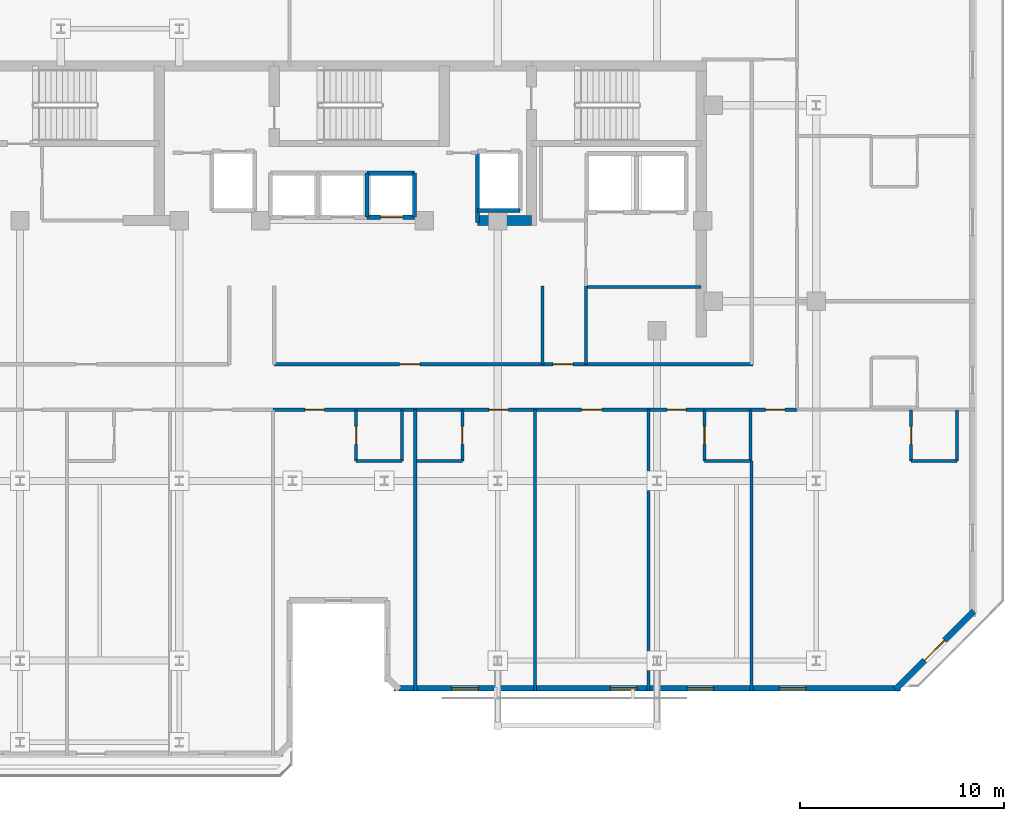
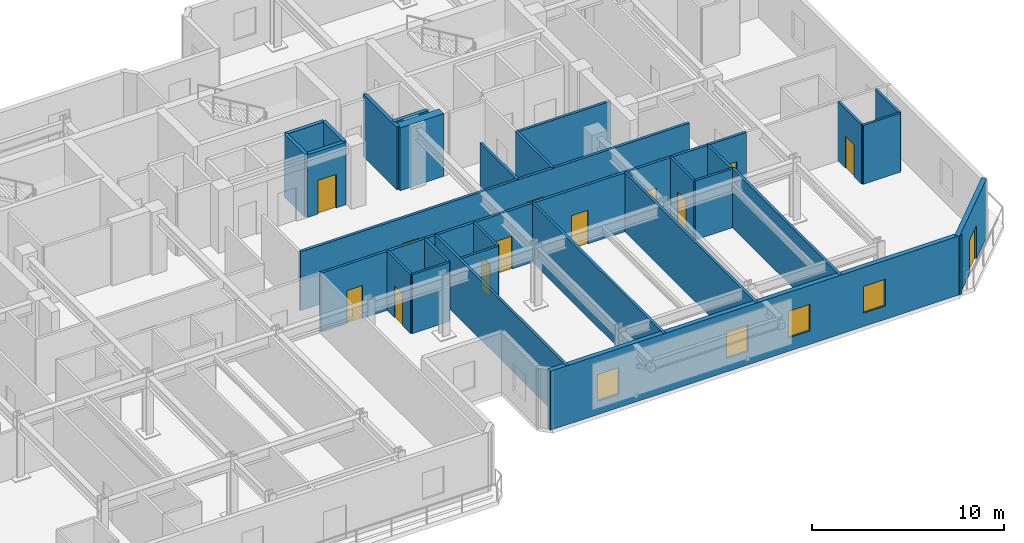
# One storey, part 6 of 13: 29 walls, 13 doors, 4 windows, 17 openings.
"""IFC4 building model written with IfcOpenShell, lengths in metres."""

from ifc_helpers import new_model, si_unit, direction, frame, frame_2d, origin, place, context, subcontext, project, spatial, rectangle, extrude, material, layer, layer_set, type_object, element, fill, save


model = new_model("IFC4")

# Units and contexts
model_context = context("Model", 3, precision=1e-05, world=origin(), true_north=direction((0.0, 1.0)))
body_context = subcontext(model_context, "Body", "Model", "MODEL_VIEW")
ifc_project = project(units=[si_unit("LENGTHUNIT", "METRE"), si_unit("AREAUNIT", "SQUARE_METRE"), si_unit("VOLUMEUNIT", "CUBIC_METRE"), si_unit("PLANEANGLEUNIT", "RADIAN"), si_unit("MASSUNIT", "GRAM", prefix="KILO")], contexts=[model_context])

# Site, building, storey
site_placement = place(None, origin())
site = spatial("IfcSite", under=ifc_project, at=site_placement, CompositionType="ELEMENT")
building_placement = place(site_placement, origin())
building = spatial("IfcBuilding", under=site, at=building_placement, Name="Kestravale Grand Hotel", CompositionType="ELEMENT")
storey_placement = place(building_placement, frame((0.0, 0.0, 245.39990234375)))
storey = spatial("IfcBuildingStorey", under=building, at=storey_placement, Name="L61", CompositionType="ELEMENT", Elevation=245.39990234375)

# Wall
ifc_material_1 = material(Name="Concrete f'c 50 MPa", Category="concrete")
ifc_layer_1 = layer(ifc_material_1, 0.5)
ifc_layer_set_1 = layer_set([ifc_layer_1], Name="EW-CORE-500")
wall_type_1 = type_object("IfcWallType", Name="EW-CORE-500", PredefinedType="SHEAR", material=ifc_layer_set_1)
wall_1_placement = place(storey_placement, frame((45.81005859375, 32.75, 0.0), z_axis=(0.0, 0.0, 1.0), x_axis=(1.0, 0.0, 0.0)))
element("IfcWall", 1, at=wall_1_placement, inside=storey, type_object=wall_type_1, Name="L61 core shear wall S2", PredefinedType="SHEAR", context=body_context, shape_type="SweptSolid", body=[
    extrude(rectangle(XDim=2.639892578125, YDim=0.5, at=frame_2d((1.31982421875, 0.0))), origin(), (0.0, 0.0, 1.0), 4.0),
])

# Wall, openings, windows
ifc_material_2 = material(Name="Precast concrete f'c 45 MPa", Category="concrete")
ifc_layer_2 = layer(ifc_material_2, 0.280029296875)
ifc_layer_set_2 = layer_set([ifc_layer_2], Name="EW-PREC-280")
wall_type_2 = type_object("IfcWallType", Name="EW-PREC-280", PredefinedType="SOLIDWALL", material=ifc_layer_set_2)
wall_2_placement = place(storey_placement, frame((41.7099609375, 9.840087890625, 0.0), z_axis=(0.0, 0.0, 1.0), x_axis=(1.0, 0.0, 0.0)))
wall_2 = element("IfcWall", 2, at=wall_2_placement, inside=storey, type_object=wall_type_2, Name="L61 fluted precast facade wall 7", PredefinedType="SOLIDWALL", context=body_context, shape_type="SweptSolid", body=[
    extrude(rectangle(XDim=24.830078125, YDim=0.280029296875, at=frame_2d((12.4150390625, 0.0))), origin(), (0.0, 0.0, 1.0), 3.760009765625),
])
opening_1_placement = place(wall_2_placement, frame((2.83837890625, 0.0, 0.85009765625)))
opening_1 = element("IfcOpeningElement", 3, at=opening_1_placement, cuts=wall_2, Name="Opening W-GUEST-1300", PredefinedType="OPENING", context=body_context, shape_type="SweptSolid", body=[
    extrude(rectangle(XDim=1.300048828125, YDim=1.699951171875, at=frame_2d((0.64990234375, 0.85009765625))), frame((0.0, 0.14990234375, 0.0), z_axis=(0.0, -1.0, 0.0), x_axis=(1.0, 0.0, 0.0)), (0.0, 0.0, 1.0), 0.300048828125),
])
opening_2_placement = place(wall_2_placement, frame((10.614990234375, 0.0, 0.85009765625)))
opening_2 = element("IfcOpeningElement", 4, at=opening_2_placement, cuts=wall_2, Name="Opening W-GUEST-1300", PredefinedType="OPENING", context=body_context, shape_type="SweptSolid", body=[
    extrude(rectangle(XDim=1.300048828125, YDim=1.699951171875, at=frame_2d((0.64990234375, 0.85009765625))), frame((0.0, 0.14990234375, 0.0), z_axis=(0.0, -1.0, 0.0), x_axis=(1.0, 0.0, 0.0)), (0.0, 0.0, 1.0), 0.300048828125),
])
opening_3_placement = place(wall_2_placement, frame((18.8916015625, 0.0, 0.85009765625)))
opening_3 = element("IfcOpeningElement", 5, at=opening_3_placement, cuts=wall_2, Name="Opening W-GUEST-1300", PredefinedType="OPENING", context=body_context, shape_type="SweptSolid", body=[
    extrude(rectangle(XDim=1.300048828125, YDim=1.699951171875, at=frame_2d((0.64990234375, 0.85009765625))), frame((0.0, 0.14990234375, 0.0), z_axis=(0.0, -1.0, 0.0), x_axis=(1.0, 0.0, 0.0)), (0.0, 0.0, 1.0), 0.300048828125),
])
opening_4_placement = place(wall_2_placement, frame((14.364990234375, 0.0, 0.85009765625)))
opening_4 = element("IfcOpeningElement", 6, at=opening_4_placement, cuts=wall_2, Name="Opening W-GUEST-1300", PredefinedType="OPENING", context=body_context, shape_type="SweptSolid", body=[
    extrude(rectangle(XDim=1.300048828125, YDim=1.699951171875, at=frame_2d((0.64990234375, 0.85009765625))), frame((0.0, 0.14990234375, 0.0), z_axis=(0.0, -1.0, 0.0), x_axis=(1.0, 0.0, 0.0)), (0.0, 0.0, 1.0), 0.300048828125),
])
ifc_material_3 = material(Name="Insulated low-E double glazing in aluminium frame", Category="aluminium")
window_type = type_object("IfcWindowType", Name="W-GUEST-1300", PartitioningType="SINGLE_PANEL", PredefinedType="WINDOW", material=ifc_material_3)
window_1_placement = place(opening_1_placement, origin())
window_1 = element("IfcWindow", 7, at=window_1_placement, inside=storey, type_object=window_type, Name="L61 exterior window 7.1", OverallHeight=1.699951171875, OverallWidth=1.300048828125, PartitioningType="SINGLE_PANEL", PredefinedType="WINDOW", context=body_context, shape_type="SweptSolid", body=[
    extrude(rectangle(XDim=1.300048828125, YDim=1.699951171875, at=frame_2d((0.64990234375, 0.85009765625))), frame((0.0, 0.030029296875, 0.0), z_axis=(0.0, -1.0, 0.0), x_axis=(1.0, 0.0, 0.0)), (0.0, 0.0, 1.0), 0.06005859375),
])
fill(opening_1, window_1)
window_2_placement = place(opening_2_placement, origin())
window_2 = element("IfcWindow", 8, at=window_2_placement, inside=storey, type_object=window_type, Name="L61 exterior window 7.2", OverallHeight=1.699951171875, OverallWidth=1.300048828125, PartitioningType="SINGLE_PANEL", PredefinedType="WINDOW", context=body_context, shape_type="SweptSolid", body=[
    extrude(rectangle(XDim=1.300048828125, YDim=1.699951171875, at=frame_2d((0.64990234375, 0.85009765625))), frame((0.0, 0.030029296875, 0.0), z_axis=(0.0, -1.0, 0.0), x_axis=(1.0, 0.0, 0.0)), (0.0, 0.0, 1.0), 0.06005859375),
])
fill(opening_2, window_2)
window_3_placement = place(opening_3_placement, origin())
window_3 = element("IfcWindow", 9, at=window_3_placement, inside=storey, type_object=window_type, Name="L61 exterior window 7.3", OverallHeight=1.699951171875, OverallWidth=1.300048828125, PartitioningType="SINGLE_PANEL", PredefinedType="WINDOW", context=body_context, shape_type="SweptSolid", body=[
    extrude(rectangle(XDim=1.300048828125, YDim=1.699951171875, at=frame_2d((0.64990234375, 0.85009765625))), frame((0.0, 0.030029296875, 0.0), z_axis=(0.0, -1.0, 0.0), x_axis=(1.0, 0.0, 0.0)), (0.0, 0.0, 1.0), 0.06005859375),
])
fill(opening_3, window_3)
window_4_placement = place(opening_4_placement, origin())
window_4 = element("IfcWindow", 10, at=window_4_placement, inside=storey, type_object=window_type, Name="L61 guestroom envelope window 2", OverallHeight=1.699951171875, OverallWidth=1.300048828125, PartitioningType="SINGLE_PANEL", PredefinedType="WINDOW", context=body_context, shape_type="SweptSolid", body=[
    extrude(rectangle(XDim=1.300048828125, YDim=1.699951171875, at=frame_2d((0.64990234375, 0.85009765625))), frame((0.0, 0.030029296875, 0.0), z_axis=(0.0, -1.0, 0.0), x_axis=(1.0, 0.0, 0.0)), (0.0, 0.0, 1.0), 0.06005859375),
])
fill(opening_4, window_4)

# Wall, opening, door
wall_3_placement = place(storey_placement, frame((66.272705078125, 9.770751953125, 0.0), z_axis=(0.0, 0.0, 1.0), x_axis=(0.707129162587, 0.707084399077, 0.0)))
wall_3 = element("IfcWall", 11, at=wall_3_placement, inside=storey, type_object=wall_type_2, Name="L61 fluted precast facade wall 8", PredefinedType="SOLIDWALL", context=body_context, shape_type="SweptSolid", body=[
    extrude(rectangle(XDim=5.4541015625, YDim=0.280029296875, at=frame_2d((2.72705078125, 0.0))), origin(), (0.0, 0.0, 1.0), 3.760009765625),
])
opening_5_placement = place(wall_3_placement, frame((2.027099609375, 0.0, 0.0)))
opening_5 = element("IfcOpeningElement", 12, at=opening_5_placement, cuts=wall_3, Name="Opening D-TERR-1400", PredefinedType="OPENING", context=body_context, shape_type="SweptSolid", body=[
    extrude(rectangle(XDim=1.39990234375, YDim=2.14990234375, at=frame_2d((0.699951171875, 1.074951171875))), frame((0.0, 0.14990234375, 0.0), z_axis=(0.0, -1.0, 0.0), x_axis=(1.0, 0.0, 0.0)), (0.0, 0.0, 1.0), 0.300048828125),
])
ifc_material_4 = material(Name="Insulated glazed champagne-bronze aluminium door", Category="aluminium")
door_type_1 = type_object("IfcDoorType", Name="D-TERR-1400", OperationType="NOTDEFINED", PredefinedType="DOOR", material=ifc_material_4)
door_1_placement = place(opening_5_placement, origin())
door_1 = element("IfcDoor", 13, at=door_1_placement, inside=storey, type_object=door_type_1, Name="L61 outdoor garden terrace door", OperationType="DOUBLE_DOOR_SINGLE_SWING", OverallHeight=2.14990234375, OverallWidth=1.39990234375, PredefinedType="DOOR", context=body_context, shape_type="SweptSolid", body=[
    extrude(rectangle(XDim=1.39990234375, YDim=2.14990234375, at=frame_2d((0.699951171875, 1.074951171875))), frame((0.0, 0.02490234375, 0.0), z_axis=(0.0, -1.0, 0.0), x_axis=(1.0, 0.0, 0.0)), (0.0, 0.0, 1.0), 0.050048828125),
])
fill(opening_5, door_1)

# Wall
ifc_material_5 = material(Name="Acoustic fire-rated gypsum board partition", Category="other")
ifc_layer_3 = layer(ifc_material_5, 0.159912109375)
ifc_layer_set_3 = layer_set([ifc_layer_3], Name="IW-CORR-160")
wall_type_3 = type_object("IfcWallType", Name="IW-CORR-160", PredefinedType="PARTITIONING", material=ifc_layer_set_3)
wall_4_placement = place(storey_placement, frame((51.1201171875, 29.5, 0.0), z_axis=(0.0, 0.0, 1.0), x_axis=(1.0, 0.0, 0.0)))
element("IfcWall", 14, at=wall_4_placement, inside=storey, type_object=wall_type_3, Name="L61 service lift lobby wall", PredefinedType="PARTITIONING", context=body_context, shape_type="SweptSolid", body=[
    extrude(rectangle(XDim=5.6298828125, YDim=0.159912109375, at=frame_2d((2.81494140625, 0.0))), origin(), (0.0, 0.0, 1.0), 3.760009765625),
])

# Wall, openings, doors
wall_5_placement = place(storey_placement, frame((35.85009765625, 25.7099609375, 0.0), z_axis=(0.0, 0.0, 1.0), x_axis=(1.0, 0.0, 0.0)))
wall_5 = element("IfcWall", 15, at=wall_5_placement, inside=storey, type_object=wall_type_3, Name="W-L61-CE-N", PredefinedType="PARTITIONING", context=body_context, shape_type="SweptSolid", body=[
    extrude(rectangle(XDim=23.449951171875, YDim=0.159912109375, at=frame_2d((11.72509765625, 0.0))), origin(), (0.0, 0.0, 1.0), 3.760009765625),
])
opening_6_placement = place(wall_5_placement, frame((6.14990234375, 0.0, 0.0)))
opening_6 = element("IfcOpeningElement", 16, at=opening_6_placement, cuts=wall_5, Name="Opening D-GUEST-1000", PredefinedType="OPENING", context=body_context, shape_type="SweptSolid", body=[
    extrude(rectangle(XDim=1.0, YDim=2.14990234375, at=frame_2d((0.5, 1.074951171875))), frame((0.0, 0.08984375, 0.0), z_axis=(0.0, -1.0, 0.0), x_axis=(1.0, 0.0, 0.0)), (0.0, 0.0, 1.0), 0.179931640625),
])
opening_7_placement = place(wall_5_placement, frame((13.64990234375, 0.0, 0.0)))
opening_7 = element("IfcOpeningElement", 17, at=opening_7_placement, cuts=wall_5, Name="Opening D-GUEST-1000", PredefinedType="OPENING", context=body_context, shape_type="SweptSolid", body=[
    extrude(rectangle(XDim=1.0, YDim=2.14990234375, at=frame_2d((0.5, 1.074951171875))), frame((0.0, 0.08984375, 0.0), z_axis=(0.0, -1.0, 0.0), x_axis=(1.0, 0.0, 0.0)), (0.0, 0.0, 1.0), 0.179931640625),
])
ifc_material_6 = material(Name="Accessible walnut veneer hotel entrance fire door", Category="wood")
door_type_2 = type_object("IfcDoorType", Name="D-GUEST-1000", OperationType="NOTDEFINED", PredefinedType="DOOR", material=ifc_material_6)
door_2_placement = place(opening_6_placement, origin())
door_2 = element("IfcDoor", 18, at=door_2_placement, inside=storey, type_object=door_type_2, Name="D-L61-RECL-E1", OperationType="SINGLE_SWING_LEFT", OverallHeight=2.14990234375, OverallWidth=1.0, PredefinedType="DOOR", context=body_context, shape_type="SweptSolid", body=[
    extrude(rectangle(XDim=1.0, YDim=2.14990234375, at=frame_2d((0.5, 1.074951171875))), frame((0.0, 0.02490234375, 0.0), z_axis=(0.0, -1.0, 0.0), x_axis=(1.0, 0.0, 0.0)), (0.0, 0.0, 1.0), 0.050048828125),
])
fill(opening_6, door_2)
door_3_placement = place(opening_7_placement, origin())
door_3 = element("IfcDoor", 19, at=door_3_placement, inside=storey, type_object=door_type_2, Name="D-L61-RECL-E2", OperationType="SINGLE_SWING_RIGHT", OverallHeight=2.14990234375, OverallWidth=1.0, PredefinedType="DOOR", context=body_context, shape_type="SweptSolid", body=[
    extrude(rectangle(XDim=1.0, YDim=2.14990234375, at=frame_2d((0.5, 1.074951171875))), frame((0.0, 0.02490234375, 0.0), z_axis=(0.0, -1.0, 0.0), x_axis=(1.0, 0.0, 0.0)), (0.0, 0.0, 1.0), 0.050048828125),
])
fill(opening_7, door_3)

wall_6_placement = place(storey_placement, frame((35.800048828125, 23.489990234375, 0.0), z_axis=(0.0, 0.0, 1.0), x_axis=(1.0, 0.0, 0.0)))
wall_6 = element("IfcWall", 20, at=wall_6_placement, inside=storey, type_object=wall_type_3, Name="W-L61-CE-S", PredefinedType="PARTITIONING", context=body_context, shape_type="SweptSolid", body=[
    extrude(rectangle(XDim=25.659912109375, YDim=0.159912109375, at=frame_2d((12.830078125, 0.0))), origin(), (0.0, 0.0, 1.0), 3.760009765625),
])
opening_8_placement = place(wall_6_placement, frame((1.554931640625, 0.0, 0.0)))
opening_8 = element("IfcOpeningElement", 21, at=opening_8_placement, cuts=wall_6, Name="Opening D-GUEST-950", PredefinedType="OPENING", context=body_context, shape_type="SweptSolid", body=[
    extrude(rectangle(XDim=0.949951171875, YDim=2.10009765625, at=frame_2d((0.47509765625, 1.050048828125))), frame((0.0, 0.08984375, 0.0), z_axis=(0.0, -1.0, 0.0), x_axis=(1.0, 0.0, 0.0)), (0.0, 0.0, 1.0), 0.179931640625),
])
opening_9_placement = place(wall_6_placement, frame((10.570068359375, 0.0, 0.0)))
opening_9 = element("IfcOpeningElement", 22, at=opening_9_placement, cuts=wall_6, Name="Opening D-GUEST-950", PredefinedType="OPENING", context=body_context, shape_type="SweptSolid", body=[
    extrude(rectangle(XDim=0.949951171875, YDim=2.10009765625, at=frame_2d((0.47509765625, 1.050048828125))), frame((0.0, 0.08984375, 0.0), z_axis=(0.0, -1.0, 0.0), x_axis=(1.0, 0.0, 0.0)), (0.0, 0.0, 1.0), 0.179931640625),
])
opening_10_placement = place(wall_6_placement, frame((15.10498046875, 0.0, 0.0)))
opening_10 = element("IfcOpeningElement", 23, at=opening_10_placement, cuts=wall_6, Name="Opening D-GUEST-1000", PredefinedType="OPENING", context=body_context, shape_type="SweptSolid", body=[
    extrude(rectangle(XDim=1.0, YDim=2.14990234375, at=frame_2d((0.5, 1.074951171875))), frame((0.0, 0.08984375, 0.0), z_axis=(0.0, -1.0, 0.0), x_axis=(1.0, 0.0, 0.0)), (0.0, 0.0, 1.0), 0.179931640625),
])
opening_11_placement = place(wall_6_placement, frame((19.284912109375, 0.0, 0.0)))
opening_11 = element("IfcOpeningElement", 24, at=opening_11_placement, cuts=wall_6, Name="Opening D-GUEST-950", PredefinedType="OPENING", context=body_context, shape_type="SweptSolid", body=[
    extrude(rectangle(XDim=0.949951171875, YDim=2.10009765625, at=frame_2d((0.47509765625, 1.050048828125))), frame((0.0, 0.08984375, 0.0), z_axis=(0.0, -1.0, 0.0), x_axis=(1.0, 0.0, 0.0)), (0.0, 0.0, 1.0), 0.179931640625),
])
opening_12_placement = place(wall_6_placement, frame((24.114990234375, 0.0, 0.0)))
opening_12 = element("IfcOpeningElement", 25, at=opening_12_placement, cuts=wall_6, Name="Opening D-GUEST-950", PredefinedType="OPENING", context=body_context, shape_type="SweptSolid", body=[
    extrude(rectangle(XDim=0.949951171875, YDim=2.10009765625, at=frame_2d((0.47509765625, 1.050048828125))), frame((0.0, 0.08984375, 0.0), z_axis=(0.0, -1.0, 0.0), x_axis=(1.0, 0.0, 0.0)), (0.0, 0.0, 1.0), 0.179931640625),
])
door_4_placement = place(opening_10_placement, origin())
door_4 = element("IfcDoor", 26, at=door_4_placement, inside=storey, type_object=door_type_2, Name="D-L61-AME", OperationType="SINGLE_SWING_RIGHT", OverallHeight=2.14990234375, OverallWidth=1.0, PredefinedType="DOOR", context=body_context, shape_type="SweptSolid", body=[
    extrude(rectangle(XDim=1.0, YDim=2.14990234375, at=frame_2d((0.5, 1.074951171875))), frame((0.0, 0.02490234375, 0.0), z_axis=(0.0, -1.0, 0.0), x_axis=(1.0, 0.0, 0.0)), (0.0, 0.0, 1.0), 0.050048828125),
])
fill(opening_10, door_4)
ifc_material_7 = material(Name="Walnut veneer hotel guestroom entrance fire door", Category="wood")
door_type_3 = type_object("IfcDoorType", Name="D-GUEST-950", OperationType="NOTDEFINED", PredefinedType="DOOR", material=ifc_material_7)
door_5_placement = place(opening_8_placement, origin())
door_5 = element("IfcDoor", 27, at=door_5_placement, inside=storey, type_object=door_type_3, Name="D-L61-U03-ENT", OperationType="SINGLE_SWING_LEFT", OverallHeight=2.10009765625, OverallWidth=0.949951171875, PredefinedType="DOOR", context=body_context, shape_type="SweptSolid", body=[
    extrude(rectangle(XDim=0.949951171875, YDim=2.10009765625, at=frame_2d((0.47509765625, 1.050048828125))), frame((0.0, 0.02490234375, 0.0), z_axis=(0.0, -1.0, 0.0), x_axis=(1.0, 0.0, 0.0)), (0.0, 0.0, 1.0), 0.050048828125),
])
fill(opening_8, door_5)
door_6_placement = place(opening_9_placement, origin())
door_6 = element("IfcDoor", 28, at=door_6_placement, inside=storey, type_object=door_type_3, Name="D-L61-U04-ENT", OperationType="SINGLE_SWING_LEFT", OverallHeight=2.10009765625, OverallWidth=0.949951171875, PredefinedType="DOOR", context=body_context, shape_type="SweptSolid", body=[
    extrude(rectangle(XDim=0.949951171875, YDim=2.10009765625, at=frame_2d((0.47509765625, 1.050048828125))), frame((0.0, 0.02490234375, 0.0), z_axis=(0.0, -1.0, 0.0), x_axis=(1.0, 0.0, 0.0)), (0.0, 0.0, 1.0), 0.050048828125),
])
fill(opening_9, door_6)
door_7_placement = place(opening_11_placement, origin())
door_7 = element("IfcDoor", 29, at=door_7_placement, inside=storey, type_object=door_type_3, Name="D-L61-U05-ENT", OperationType="SINGLE_SWING_RIGHT", OverallHeight=2.10009765625, OverallWidth=0.949951171875, PredefinedType="DOOR", context=body_context, shape_type="SweptSolid", body=[
    extrude(rectangle(XDim=0.949951171875, YDim=2.10009765625, at=frame_2d((0.47509765625, 1.050048828125))), frame((0.0, 0.02490234375, 0.0), z_axis=(0.0, -1.0, 0.0), x_axis=(1.0, 0.0, 0.0)), (0.0, 0.0, 1.0), 0.050048828125),
])
fill(opening_11, door_7)
door_8_placement = place(opening_12_placement, origin())
door_8 = element("IfcDoor", 30, at=door_8_placement, inside=storey, type_object=door_type_3, Name="D-L61-U09-ENT", OperationType="SINGLE_SWING_LEFT", OverallHeight=2.10009765625, OverallWidth=0.949951171875, PredefinedType="DOOR", context=body_context, shape_type="SweptSolid", body=[
    extrude(rectangle(XDim=0.949951171875, YDim=2.10009765625, at=frame_2d((0.47509765625, 1.050048828125))), frame((0.0, 0.02490234375, 0.0), z_axis=(0.0, -1.0, 0.0), x_axis=(1.0, 0.0, 0.0)), (0.0, 0.0, 1.0), 0.050048828125),
])
fill(opening_12, door_8)

# Wall, opening, door
ifc_material_8 = material(Name="Moisture-resistant tile-backer plumbing chase wall", Category="other")
ifc_layer_4 = layer(ifc_material_8, 0.139892578125)
ifc_layer_set_4 = layer_set([ifc_layer_4], Name="IW-PLB-140")
wall_type_4 = type_object("IfcWallType", Name="IW-PLB-140", PredefinedType="PLUMBINGWALL", material=ifc_layer_set_4)
wall_7_placement = place(storey_placement, frame((39.860107421875, 20.97998046875, 0.0), z_axis=(0.0, 0.0, 1.0), x_axis=(0.0, 1.0, 0.0)))
wall_7 = element("IfcWall", 31, at=wall_7_placement, inside=storey, type_object=wall_type_4, Name="W-L61-U03-BW", PredefinedType="PLUMBINGWALL", context=body_context, shape_type="SweptSolid", body=[
    extrude(rectangle(XDim=2.489990234375, YDim=0.139892578125, at=frame_2d((1.2451171875, 0.0))), origin(), (0.0, 0.0, 1.0), 3.760009765625),
])
opening_13_placement = place(wall_7_placement, frame((0.804931640625, 0.0, 0.0)))
opening_13 = element("IfcOpeningElement", 32, at=opening_13_placement, cuts=wall_7, Name="Opening D-BATH-880", PredefinedType="OPENING", context=body_context, shape_type="SweptSolid", body=[
    extrude(rectangle(XDim=0.8798828125, YDim=2.050048828125, at=frame_2d((0.43994140625, 1.02490234375))), frame((0.0, 0.079833984375, 0.0), z_axis=(0.0, -1.0, 0.0), x_axis=(1.0, 0.0, 0.0)), (0.0, 0.0, 1.0), 0.159912109375),
])
ifc_material_9 = material(Name="Moisture-sealed walnut en-suite bathroom door", Category="wood")
door_type_4 = type_object("IfcDoorType", Name="D-BATH-880", OperationType="NOTDEFINED", PredefinedType="DOOR", material=ifc_material_9)
door_9_placement = place(opening_13_placement, origin())
door_9 = element("IfcDoor", 33, at=door_9_placement, inside=storey, type_object=door_type_4, Name="D-L61-U03-BATH", OperationType="SINGLE_SWING_RIGHT", OverallHeight=2.050048828125, OverallWidth=0.8798828125, PredefinedType="DOOR", context=body_context, shape_type="SweptSolid", body=[
    extrude(rectangle(XDim=0.8798828125, YDim=2.050048828125, at=frame_2d((0.43994140625, 1.02490234375))), frame((0.0, 0.02490234375, 0.0), z_axis=(0.0, -1.0, 0.0), x_axis=(1.0, 0.0, 0.0)), (0.0, 0.0, 1.0), 0.050048828125),
])
fill(opening_13, door_9)

# Walls
wall_8_placement = place(storey_placement, frame((42.110107421875, 20.97998046875, 0.0), z_axis=(0.0, 0.0, 1.0), x_axis=(0.0, 1.0, 0.0)))
element("IfcWall", 34, at=wall_8_placement, inside=storey, type_object=wall_type_4, Name="W-L61-U03-BE", PredefinedType="PLUMBINGWALL", context=body_context, shape_type="SweptSolid", body=[
    extrude(rectangle(XDim=2.489990234375, YDim=0.139892578125, at=frame_2d((1.2451171875, 0.0))), origin(), (0.0, 0.0, 1.0), 3.760009765625),
])
wall_9_placement = place(storey_placement, frame((39.860107421875, 20.97998046875, 0.0), z_axis=(0.0, 0.0, 1.0), x_axis=(1.0, 0.0, 0.0)))
element("IfcWall", 35, at=wall_9_placement, inside=storey, type_object=wall_type_4, Name="W-L61-U03-BS", PredefinedType="PLUMBINGWALL", context=body_context, shape_type="SweptSolid", body=[
    extrude(rectangle(XDim=2.25, YDim=0.139892578125, at=frame_2d((1.125, 0.0))), origin(), (0.0, 0.0, 1.0), 3.760009765625),
])

# Wall, opening, door
wall_10_placement = place(storey_placement, frame((45.070068359375, 20.97998046875, 0.0), z_axis=(0.0, 0.0, 1.0), x_axis=(0.0, 1.0, 0.0)))
wall_10 = element("IfcWall", 36, at=wall_10_placement, inside=storey, type_object=wall_type_4, Name="W-L61-U04-BE", PredefinedType="PLUMBINGWALL", context=body_context, shape_type="SweptSolid", body=[
    extrude(rectangle(XDim=2.489990234375, YDim=0.139892578125, at=frame_2d((1.2451171875, 0.0))), origin(), (0.0, 0.0, 1.0), 3.760009765625),
])
opening_14_placement = place(wall_10_placement, frame((0.804931640625, 0.0, 0.0)))
opening_14 = element("IfcOpeningElement", 37, at=opening_14_placement, cuts=wall_10, Name="Opening D-BATH-880", PredefinedType="OPENING", context=body_context, shape_type="SweptSolid", body=[
    extrude(rectangle(XDim=0.8798828125, YDim=2.050048828125, at=frame_2d((0.43994140625, 1.02490234375))), frame((0.0, 0.079833984375, 0.0), z_axis=(0.0, -1.0, 0.0), x_axis=(1.0, 0.0, 0.0)), (0.0, 0.0, 1.0), 0.159912109375),
])
door_10_placement = place(opening_14_placement, origin())
door_10 = element("IfcDoor", 38, at=door_10_placement, inside=storey, type_object=door_type_4, Name="D-L61-U04-BATH", OperationType="SINGLE_SWING_RIGHT", OverallHeight=2.050048828125, OverallWidth=0.8798828125, PredefinedType="DOOR", context=body_context, shape_type="SweptSolid", body=[
    extrude(rectangle(XDim=0.8798828125, YDim=2.050048828125, at=frame_2d((0.43994140625, 1.02490234375))), frame((0.0, 0.02490234375, 0.0), z_axis=(0.0, -1.0, 0.0), x_axis=(1.0, 0.0, 0.0)), (0.0, 0.0, 1.0), 0.050048828125),
])
fill(opening_14, door_10)

# Wall
wall_11_placement = place(storey_placement, frame((42.820068359375, 20.97998046875, 0.0), z_axis=(0.0, 0.0, 1.0), x_axis=(1.0, 0.0, 0.0)))
element("IfcWall", 39, at=wall_11_placement, inside=storey, type_object=wall_type_4, Name="W-L61-U04-BS", PredefinedType="PLUMBINGWALL", context=body_context, shape_type="SweptSolid", body=[
    extrude(rectangle(XDim=2.25, YDim=0.139892578125, at=frame_2d((1.125, 0.0))), origin(), (0.0, 0.0, 1.0), 3.760009765625),
])

# Wall, opening, door
wall_12_placement = place(storey_placement, frame((56.929931640625, 20.97998046875, 0.0), z_axis=(0.0, 0.0, 1.0), x_axis=(0.0, 1.0, 0.0)))
wall_12 = element("IfcWall", 40, at=wall_12_placement, inside=storey, type_object=wall_type_4, Name="W-L61-U05-BW", PredefinedType="PLUMBINGWALL", context=body_context, shape_type="SweptSolid", body=[
    extrude(rectangle(XDim=2.489990234375, YDim=0.139892578125, at=frame_2d((1.2451171875, 0.0))), origin(), (0.0, 0.0, 1.0), 3.760009765625),
])
opening_15_placement = place(wall_12_placement, frame((0.804931640625, 0.0, 0.0)))
opening_15 = element("IfcOpeningElement", 41, at=opening_15_placement, cuts=wall_12, Name="Opening D-BATH-880", PredefinedType="OPENING", context=body_context, shape_type="SweptSolid", body=[
    extrude(rectangle(XDim=0.8798828125, YDim=2.050048828125, at=frame_2d((0.43994140625, 1.02490234375))), frame((0.0, 0.079833984375, 0.0), z_axis=(0.0, -1.0, 0.0), x_axis=(1.0, 0.0, 0.0)), (0.0, 0.0, 1.0), 0.159912109375),
])
door_11_placement = place(opening_15_placement, origin())
door_11 = element("IfcDoor", 42, at=door_11_placement, inside=storey, type_object=door_type_4, Name="D-L61-U05-BATH", OperationType="SINGLE_SWING_LEFT", OverallHeight=2.050048828125, OverallWidth=0.8798828125, PredefinedType="DOOR", context=body_context, shape_type="SweptSolid", body=[
    extrude(rectangle(XDim=0.8798828125, YDim=2.050048828125, at=frame_2d((0.43994140625, 1.02490234375))), frame((0.0, 0.02490234375, 0.0), z_axis=(0.0, -1.0, 0.0), x_axis=(1.0, 0.0, 0.0)), (0.0, 0.0, 1.0), 0.050048828125),
])
fill(opening_15, door_11)

# Walls
wall_13_placement = place(storey_placement, frame((59.179931640625, 20.97998046875, 0.0), z_axis=(0.0, 0.0, 1.0), x_axis=(0.0, 1.0, 0.0)))
element("IfcWall", 43, at=wall_13_placement, inside=storey, type_object=wall_type_4, Name="W-L61-U05-BE", PredefinedType="PLUMBINGWALL", context=body_context, shape_type="SweptSolid", body=[
    extrude(rectangle(XDim=2.489990234375, YDim=0.139892578125, at=frame_2d((1.2451171875, 0.0))), origin(), (0.0, 0.0, 1.0), 3.760009765625),
])
wall_14_placement = place(storey_placement, frame((56.929931640625, 20.97998046875, 0.0), z_axis=(0.0, 0.0, 1.0), x_axis=(1.0, 0.0, 0.0)))
element("IfcWall", 44, at=wall_14_placement, inside=storey, type_object=wall_type_4, Name="W-L61-U05-BS", PredefinedType="PLUMBINGWALL", context=body_context, shape_type="SweptSolid", body=[
    extrude(rectangle(XDim=2.25, YDim=0.139892578125, at=frame_2d((1.125, 0.0))), origin(), (0.0, 0.0, 1.0), 3.760009765625),
])

# Wall, opening, door
wall_15_placement = place(storey_placement, frame((67.050048828125, 20.97998046875, 0.0), z_axis=(0.0, 0.0, 1.0), x_axis=(0.0, 1.0, 0.0)))
wall_15 = element("IfcWall", 45, at=wall_15_placement, inside=storey, type_object=wall_type_4, Name="W-L61-U09-BW", PredefinedType="PLUMBINGWALL", context=body_context, shape_type="SweptSolid", body=[
    extrude(rectangle(XDim=2.489990234375, YDim=0.139892578125, at=frame_2d((1.2451171875, 0.0))), origin(), (0.0, 0.0, 1.0), 3.760009765625),
])
opening_16_placement = place(wall_15_placement, frame((0.804931640625, 0.0, 0.0)))
opening_16 = element("IfcOpeningElement", 46, at=opening_16_placement, cuts=wall_15, Name="Opening D-BATH-880", PredefinedType="OPENING", context=body_context, shape_type="SweptSolid", body=[
    extrude(rectangle(XDim=0.8798828125, YDim=2.050048828125, at=frame_2d((0.43994140625, 1.02490234375))), frame((0.0, 0.079833984375, 0.0), z_axis=(0.0, -1.0, 0.0), x_axis=(1.0, 0.0, 0.0)), (0.0, 0.0, 1.0), 0.159912109375),
])
door_12_placement = place(opening_16_placement, origin())
door_12 = element("IfcDoor", 47, at=door_12_placement, inside=storey, type_object=door_type_4, Name="D-L61-U09-BATH", OperationType="SINGLE_SWING_RIGHT", OverallHeight=2.050048828125, OverallWidth=0.8798828125, PredefinedType="DOOR", context=body_context, shape_type="SweptSolid", body=[
    extrude(rectangle(XDim=0.8798828125, YDim=2.050048828125, at=frame_2d((0.43994140625, 1.02490234375))), frame((0.0, 0.02490234375, 0.0), z_axis=(0.0, -1.0, 0.0), x_axis=(1.0, 0.0, 0.0)), (0.0, 0.0, 1.0), 0.050048828125),
])
fill(opening_16, door_12)

# Walls
wall_16_placement = place(storey_placement, frame((69.300048828125, 20.97998046875, 0.0), z_axis=(0.0, 0.0, 1.0), x_axis=(0.0, 1.0, 0.0)))
element("IfcWall", 48, at=wall_16_placement, inside=storey, type_object=wall_type_4, Name="W-L61-U09-BE", PredefinedType="PLUMBINGWALL", context=body_context, shape_type="SweptSolid", body=[
    extrude(rectangle(XDim=2.489990234375, YDim=0.139892578125, at=frame_2d((1.2451171875, 0.0))), origin(), (0.0, 0.0, 1.0), 3.760009765625),
])
wall_17_placement = place(storey_placement, frame((67.050048828125, 20.97998046875, 0.0), z_axis=(0.0, 0.0, 1.0), x_axis=(1.0, 0.0, 0.0)))
element("IfcWall", 49, at=wall_17_placement, inside=storey, type_object=wall_type_4, Name="W-L61-U09-BS", PredefinedType="PLUMBINGWALL", context=body_context, shape_type="SweptSolid", body=[
    extrude(rectangle(XDim=2.25, YDim=0.139892578125, at=frame_2d((1.125, 0.0))), origin(), (0.0, 0.0, 1.0), 3.760009765625),
])
ifc_material_10 = material(Name="Concrete f'c 45 MPa", Category="concrete")
ifc_layer_5 = layer(ifc_material_10, 0.199951171875)
ifc_layer_set_5 = layer_set([ifc_layer_5], Name="IW-SHAFT-200")
wall_type_5 = type_object("IfcWallType", Name="IW-SHAFT-200", PredefinedType="SHEAR", material=ifc_layer_set_5)
for number, where, z_axis, x_axis, name in (
    (50, (40.39990234375, 32.919921875, 0.0), (0.0, 0.0, 1.0), (0.0, 1.0, 0.0), "L61 PL-X3 west shaft wall"),
    (51, (42.719970703125, 32.919921875, 0.0), (0.0, 0.0, 1.0), (0.0, 1.0, 0.0), "L61 PL-X3 east shaft wall"),
):
    element("IfcWall", number, at=place(storey_placement, frame(where, z_axis=z_axis, x_axis=x_axis)), inside=storey, type_object=wall_type_5, Name=name, PredefinedType="SHEAR", context=body_context, shape_type="SweptSolid", body=[
        extrude(rectangle(XDim=2.16015625, YDim=0.199951171875, at=frame_2d((1.080078125, 0.0))), origin(), (0.0, 0.0, 1.0), 4.0),
    ])
wall_18_placement = place(storey_placement, frame((45.804931640625, 32.64990234375, 0.0), z_axis=(0.0, 0.0, 1.0), x_axis=(0.0, 1.0, 0.0)))
element("IfcWall", 52, at=wall_18_placement, inside=storey, type_object=wall_type_5, Name="L61 FL-2 west shaft wall", PredefinedType="SHEAR", context=body_context, shape_type="SweptSolid", body=[
    extrude(rectangle(XDim=3.505126953125, YDim=0.199951171875, at=frame_2d((1.75244140625, 0.0))), origin(), (0.0, 0.0, 1.0), 4.0),
])
ifc_material_11 = material(Name="Concrete f'c 45 MPa", Category="concrete")
ifc_layer_6 = layer(ifc_material_11, 0.219970703125)
ifc_layer_set_6 = layer_set([ifc_layer_6], Name="IW-SHAFT-220")
wall_type_6 = type_object("IfcWallType", Name="IW-SHAFT-220", PredefinedType="SHEAR", material=ifc_layer_set_6)
wall_19_placement = place(storey_placement, frame((40.39990234375, 35.080078125, 0.0), z_axis=(0.0, 0.0, 1.0), x_axis=(1.0, 0.0, 0.0)))
element("IfcWall", 53, at=wall_19_placement, inside=storey, type_object=wall_type_6, Name="L61 PL-X3 north shaft wall", PredefinedType="SHEAR", context=body_context, shape_type="SweptSolid", body=[
    extrude(rectangle(XDim=2.320068359375, YDim=0.219970703125, at=frame_2d((1.16015625, 0.0))), origin(), (0.0, 0.0, 1.0), 4.0),
])

# Wall, opening, door
wall_20_placement = place(storey_placement, frame((40.39990234375, 32.919921875, 0.0), z_axis=(0.0, 0.0, 1.0), x_axis=(1.0, 0.0, 0.0)))
wall_20 = element("IfcWall", 54, at=wall_20_placement, inside=storey, type_object=wall_type_6, Name="L61 PL-X3 south shaft wall", PredefinedType="SHEAR", context=body_context, shape_type="SweptSolid", body=[
    extrude(rectangle(XDim=2.320068359375, YDim=0.219970703125, at=frame_2d((1.16015625, 0.0))), origin(), (0.0, 0.0, 1.0), 4.0),
])
opening_17_placement = place(wall_20_placement, frame((0.64990234375, 0.0, 0.0)))
opening_17 = element("IfcOpeningElement", 55, at=opening_17_placement, cuts=wall_20, Name="Opening LD-PAX-1100", PredefinedType="OPENING", context=body_context, shape_type="SweptSolid", body=[
    extrude(rectangle(XDim=1.10009765625, YDim=2.14990234375, at=frame_2d((0.550048828125, 1.074951171875))), frame((0.0, 0.119873046875, 0.0), z_axis=(0.0, -1.0, 0.0), x_axis=(1.0, 0.0, 0.0)), (0.0, 0.0, 1.0), 0.239990234375),
])
ifc_material_12 = material(Name="Champagne-bronze center-opening sliding elevator landing door", Category="steel")
door_type_5 = type_object("IfcDoorType", Name="LD-PAX-1100", OperationType="NOTDEFINED", PredefinedType="DOOR", material=ifc_material_12)
door_13_placement = place(opening_17_placement, origin())
door_13 = element("IfcDoor", 56, at=door_13_placement, inside=storey, type_object=door_type_5, Name="L61 PL-X3 elevator landing sliding door", OperationType="DOUBLE_DOOR_SLIDING", OverallHeight=2.14990234375, OverallWidth=1.10009765625, PredefinedType="DOOR", context=body_context, shape_type="SweptSolid", body=[
    extrude(rectangle(XDim=1.10009765625, YDim=2.14990234375, at=frame_2d((0.550048828125, 1.074951171875))), frame((0.0, 0.02490234375, 0.0), z_axis=(0.0, -1.0, 0.0), x_axis=(1.0, 0.0, 0.0)), (0.0, 0.0, 1.0), 0.050048828125),
])
fill(opening_17, door_13)

# Walls
wall_21_placement = place(storey_placement, frame((45.804931640625, 33.2451171875, 0.0), z_axis=(0.0, 0.0, 1.0), x_axis=(1.0, 0.0, 0.0)))
element("IfcWall", 57, at=wall_21_placement, inside=storey, type_object=wall_type_6, Name="L61 FL-2 south shaft wall", PredefinedType="SHEAR", context=body_context, shape_type="SweptSolid", body=[
    extrude(rectangle(XDim=2.090087890625, YDim=0.219970703125, at=frame_2d((1.044921875, 0.0))), origin(), (0.0, 0.0, 1.0), 4.0),
])
ifc_material_13 = material(Name="Double-stud STC 52 acoustic demising partition", Category="other")
ifc_layer_7 = layer(ifc_material_13, 0.14990234375)
ifc_layer_set_7 = layer_set([ifc_layer_7], Name="IW-UNIT-150")
wall_type_7 = type_object("IfcWallType", Name="IW-UNIT-150", PredefinedType="PARTITIONING", material=ifc_layer_set_7)
for number, where, z_axis, x_axis, name in (
    (58, (49.0, 25.7099609375, 0.0), (0.0, 0.0, 1.0), (0.0, 1.0, 0.0), "W-L61-RCLE-M"),
    (59, (51.1201171875, 25.7099609375, 0.0), (0.0, 0.0, 1.0), (0.0, 1.0, 0.0), "W-L61-RCLE-E"),
):
    element("IfcWall", number, at=place(storey_placement, frame(where, z_axis=z_axis, x_axis=x_axis)), inside=storey, type_object=wall_type_7, Name=name, PredefinedType="PARTITIONING", context=body_context, shape_type="SweptSolid", body=[
        extrude(rectangle(XDim=3.840087890625, YDim=0.14990234375, at=frame_2d((1.919921875, 0.0))), origin(), (0.0, 0.0, 1.0), 3.760009765625),
    ])
for number, where, z_axis, x_axis, name in (
    (60, (42.760009765625, 9.719970703125, 0.0), (0.0, 0.0, 1.0), (0.0, 1.0, 0.0), "W-L61-ES-1"),
    (61, (48.6201171875, 9.719970703125, 0.0), (0.0, 0.0, 1.0), (0.0, 1.0, 0.0), "W-L61-ES-2"),
    (62, (54.18994140625, 9.719970703125, 0.0), (0.0, 0.0, 1.0), (0.0, 1.0, 0.0), "W-L61-ES-3"),
):
    element("IfcWall", number, at=place(storey_placement, frame(where, z_axis=z_axis, x_axis=x_axis)), inside=storey, type_object=wall_type_7, Name=name, PredefinedType="PARTITIONING", context=body_context, shape_type="SweptSolid", body=[
        extrude(rectangle(XDim=13.77001953125, YDim=0.14990234375, at=frame_2d((6.885009765625, 0.0))), origin(), (0.0, 0.0, 1.0), 3.760009765625),
    ])
wall_22_placement = place(storey_placement, frame((59.239990234375, 9.719970703125, 0.0), z_axis=(0.0, 0.0, 1.0), x_axis=(0.0, 1.0, 0.0)))
element("IfcWall", 63, at=wall_22_placement, inside=storey, type_object=wall_type_7, Name="W-L61-SEC-W", PredefinedType="PARTITIONING", context=body_context, shape_type="SweptSolid", body=[
    extrude(rectangle(XDim=11.260009765625, YDim=0.14990234375, at=frame_2d((5.6298828125, 0.0))), origin(), (0.0, 0.0, 1.0), 3.760009765625),
])

save(model, "model.ifc")
